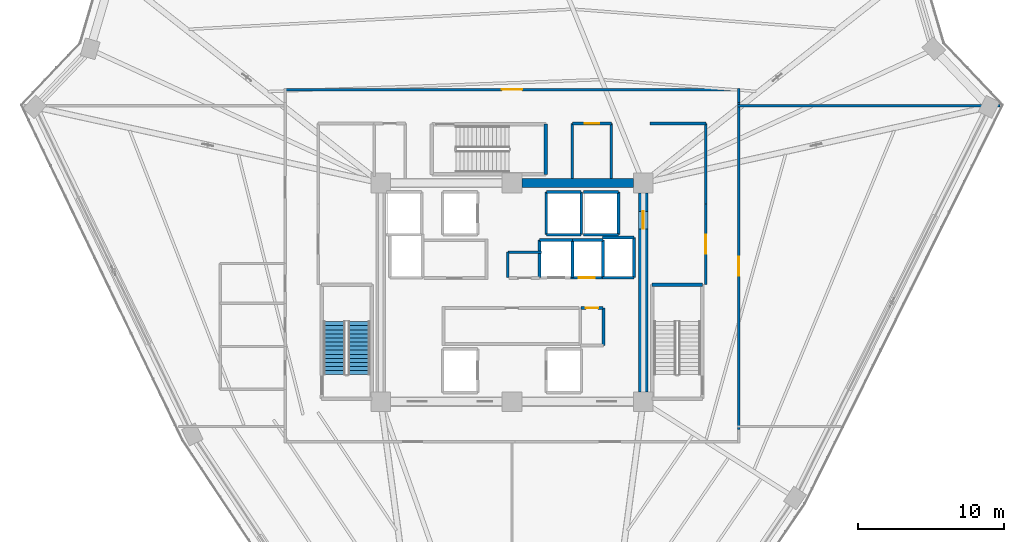
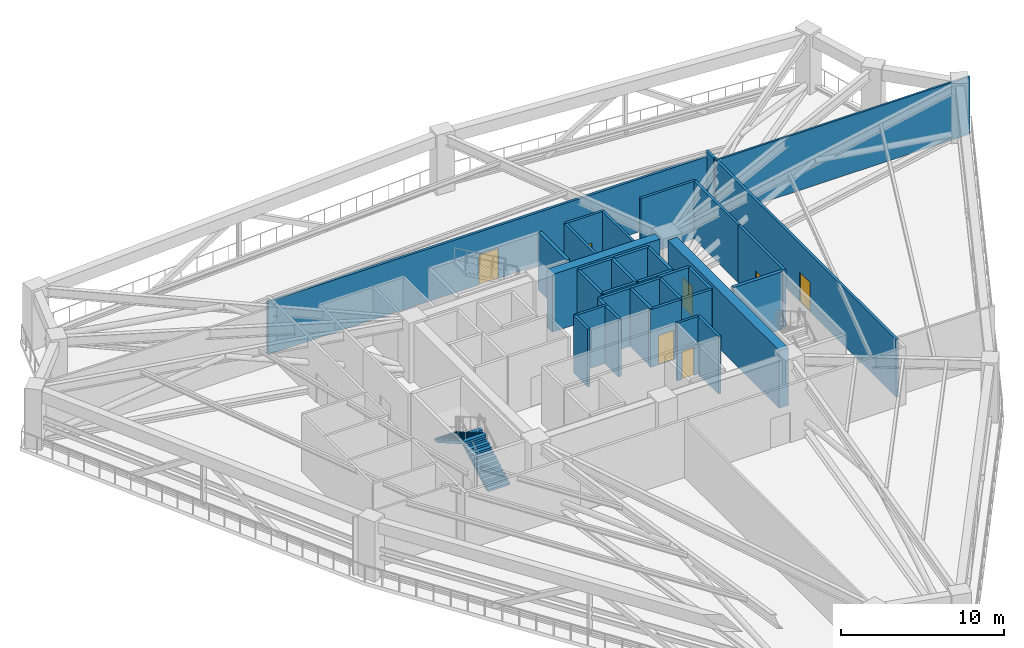
# One storey, part 16 of 25: 34 walls, 7 doors, 2 stair flights, 7 openings, 1 element without a shape of its own.
"""IFC4 building model written with IfcOpenShell, lengths in metres."""

from ifc_helpers import new_model, si_unit, direction, frame, frame_2d, origin, place, context, subcontext, project, spatial, polyline, rectangle, outline, extrude, source, transform, mapped, material, layer, layer_set, type_object, element, fill, aggregate, save


model = new_model("IFC4")

# Units and contexts
model_context = context("Model", 3, precision=1e-05, world=origin(), true_north=direction((0.0, 1.0)))
body_context = subcontext(model_context, "Body", "Model", "MODEL_VIEW")
ifc_project = project(units=[si_unit("LENGTHUNIT", "METRE"), si_unit("AREAUNIT", "SQUARE_METRE"), si_unit("VOLUMEUNIT", "CUBIC_METRE"), si_unit("PLANEANGLEUNIT", "RADIAN"), si_unit("MASSUNIT", "GRAM", prefix="KILO")], contexts=[model_context])

# Site, building, storey
site_placement = place(None, origin())
site = spatial("IfcSite", under=ifc_project, at=site_placement, CompositionType="ELEMENT")
building_placement = place(site_placement, origin())
building = spatial("IfcBuilding", under=site, at=building_placement, Name="Liaohun Quay Tower", CompositionType="ELEMENT")
storey_placement = place(building_placement, frame((0.0, 0.0, 231.75)))
storey = spatial("IfcBuildingStorey", under=building, at=storey_placement, Name="L60", CompositionType="ELEMENT", Elevation=231.75)

# Wall
ifc_material_1 = material(Name="Concrete C55", Category="concrete")
ifc_layer_1 = layer(ifc_material_1, 0.64990234375, Name="Concrete C55", Category="concrete")
ifc_layer_set_1 = layer_set([ifc_layer_1], Name="Concrete C55")
wall_type_1 = type_object("IfcWallType", Name="WAL-COR-Z3", PredefinedType="SHEAR", material=ifc_layer_set_1)
wall_1_placement = place(storey_placement, frame((60.675048828125, 61.5, 0.0), z_axis=(0.0, 0.0, 1.0), x_axis=(1.0, 0.0, 0.0)))
element("IfcWall", 1, at=wall_1_placement, inside=storey, type_object=wall_type_1, Name="L60 Central Core Shear Wall N-E", PredefinedType="SHEAR", context=body_context, shape_type="SweptSolid", body=[
    extrude(rectangle(XDim=7.64990234375, YDim=0.64990234375, at=frame_2d((3.824951171875, 0.0))), origin(), (0.0, 0.0, 1.0), 4.320068359375),
])

# Wall, opening, door
wall_2_placement = place(storey_placement, frame((69.0, 60.824951171875, 0.0), z_axis=(0.0, 0.0, 1.0), x_axis=(0.0, -1.0, 0.0)))
wall_2 = element("IfcWall", 2, at=wall_2_placement, inside=storey, type_object=wall_type_1, Name="L60 Central Core Shear Wall E", PredefinedType="SHEAR", context=body_context, shape_type="SweptSolid", body=[
    extrude(rectangle(XDim=13.64990234375, YDim=0.64990234375, at=frame_2d((6.824951171875, 0.0))), origin(), (0.0, 0.0, 1.0), 4.320068359375),
])
shared_shape_1 = source(origin(), body_context, "Body", "SweptSolid", [
    extrude(rectangle(XDim=1.199951171875, YDim=2.199951171875, at=frame_2d((0.60009765625, 1.10009765625))), frame((0.0, 0.3349609375, 0.0), z_axis=(0.0, -1.0, 0.0), x_axis=(1.0, 0.0, 0.0)), (0.0, 0.0, 1.0), 0.669921875),
])
opening_1_placement = place(wall_2_placement, frame((1.27490234375, 0.0, 0.0)))
opening_1 = element("IfcOpeningElement", 3, at=opening_1_placement, cuts=wall_2, Name="Opening SD1", PredefinedType="OPENING", context=body_context, shape_type="MappedRepresentation", body=[
    mapped(shared_shape_1, transform((0.0, 0.0, 0.0), x_axis=(1.0, 0.0, 0.0), y_axis=(0.0, 1.0, 0.0), z_axis=(0.0, 0.0, 1.0), scale=1.0)),
])
ifc_material_2 = material(Name="Galvanised steel fire door", Category="steel")
door_type_1 = type_object("IfcDoorType", Name="DOR-STR-1200", OperationType="NOTDEFINED", PredefinedType="DOOR", material=ifc_material_2)
shared_shape_2 = source(origin(), body_context, "Body", "SweptSolid", [
    extrude(rectangle(XDim=1.199951171875, YDim=2.199951171875, at=frame_2d((0.60009765625, 1.10009765625))), frame((0.0, 0.02490234375, 0.0), z_axis=(0.0, -1.0, 0.0), x_axis=(1.0, 0.0, 0.0)), (0.0, 0.0, 1.0), 0.050048828125),
])
door_1_placement = place(opening_1_placement, origin())
door_1 = element("IfcDoor", 4, at=door_1_placement, inside=storey, type_object=door_type_1, Name="L60 North-East Core Lobby Smokeproof Door", OperationType="SINGLE_SWING_LEFT", OverallHeight=2.199951171875, OverallWidth=1.199951171875, PredefinedType="DOOR", context=body_context, shape_type="MappedRepresentation", body=[
    mapped(shared_shape_2, transform((0.0, 0.0, 0.0), x_axis=(1.0, 0.0, 0.0), y_axis=(0.0, 1.0, 0.0), z_axis=(0.0, 0.0, 1.0), scale=1.0)),
])
fill(opening_1, door_1)

ifc_material_3 = material(Name="Autoclaved aerated concrete blockwork", Category="masonry")
ifc_layer_2 = layer(ifc_material_3, 0.179931640625, Name="Autoclaved aerated concrete blockwork", Category="masonry")
ifc_layer_set_2 = layer_set([ifc_layer_2], Name="Autoclaved aerated concrete blockwork")
wall_type_2 = type_object("IfcWallType", Name="WAL-PRT-COR", PredefinedType="PARTITIONING", material=ifc_layer_set_2)
wall_3_placement = place(storey_placement, frame((64.719970703125, 52.919921875, 0.0), z_axis=(0.0, 0.0, 1.0), x_axis=(1.0, 0.0, 0.0)))
wall_3 = element("IfcWall", 5, at=wall_3_placement, inside=storey, type_object=wall_type_2, Name="L60 Interior Partition Wall 004", PredefinedType="PARTITIONING", context=body_context, shape_type="SweptSolid", body=[
    extrude(rectangle(XDim=1.530029296875, YDim=0.179931640625, at=frame_2d((0.76513671875, 0.0))), origin(), (0.0, 0.0, 1.0), 4.320068359375),
])
shared_shape_3 = source(origin(), body_context, "Body", "SweptSolid", [
    extrude(rectangle(XDim=0.85009765625, YDim=2.10009765625, at=frame_2d((0.425048828125, 1.050048828125))), frame((0.0, 0.099853515625, 0.0), z_axis=(0.0, -1.0, 0.0), x_axis=(1.0, 0.0, 0.0)), (0.0, 0.0, 1.0), 0.199951171875),
])
opening_2_placement = place(wall_3_placement, frame((0.340087890625, 0.0, 0.0)))
opening_2 = element("IfcOpeningElement", 6, at=opening_2_placement, cuts=wall_3, Name="Opening AD1", PredefinedType="OPENING", context=body_context, shape_type="MappedRepresentation", body=[
    mapped(shared_shape_3, transform((0.0, 0.0, 0.0), x_axis=(1.0, 0.0, 0.0), y_axis=(0.0, 1.0, 0.0), z_axis=(0.0, 0.0, 1.0), scale=1.0)),
])
ifc_material_4 = material(Name="Steel riser inspection fire door", Category="steel")
door_type_2 = type_object("IfcDoorType", Name="DOR-SHF-850", OperationType="NOTDEFINED", PredefinedType="DOOR", material=ifc_material_4)
shared_shape_4 = source(origin(), body_context, "Body", "SweptSolid", [
    extrude(rectangle(XDim=0.85009765625, YDim=2.10009765625, at=frame_2d((0.425048828125, 1.050048828125))), frame((0.0, 0.02490234375, 0.0), z_axis=(0.0, -1.0, 0.0), x_axis=(1.0, 0.0, 0.0)), (0.0, 0.0, 1.0), 0.050048828125),
])
door_2_placement = place(opening_2_placement, origin())
door_2 = element("IfcDoor", 7, at=door_2_placement, inside=storey, type_object=door_type_2, Name="L60 BMS Data Riser Room Door", OperationType="SINGLE_SWING_RIGHT", OverallHeight=2.10009765625, OverallWidth=0.85009765625, PredefinedType="DOOR", context=body_context, shape_type="MappedRepresentation", body=[
    mapped(shared_shape_4, transform((0.0, 0.0, 0.0), x_axis=(1.0, 0.0, 0.0), y_axis=(0.0, 1.0, 0.0), z_axis=(0.0, 0.0, 1.0), scale=1.0)),
])
fill(opening_2, door_2)

wall_4_placement = place(storey_placement, frame((64.139892578125, 65.580078125, 0.0), z_axis=(0.0, 0.0, 1.0), x_axis=(1.0, 0.0, 0.0)))
wall_4 = element("IfcWall", 8, at=wall_4_placement, inside=storey, type_object=wall_type_2, Name="L60 Interior Partition Wall 009", PredefinedType="PARTITIONING", context=body_context, shape_type="SweptSolid", body=[
    extrude(rectangle(XDim=2.670166015625, YDim=0.179931640625, at=frame_2d((1.3349609375, 0.0))), origin(), (0.0, 0.0, 1.0), 4.320068359375),
])
shared_shape_5 = source(origin(), body_context, "Body", "SweptSolid", [
    extrude(rectangle(XDim=1.0, YDim=2.199951171875, at=frame_2d((0.5, 1.10009765625))), frame((0.0, 0.099853515625, 0.0), z_axis=(0.0, -1.0, 0.0), x_axis=(1.0, 0.0, 0.0)), (0.0, 0.0, 1.0), 0.199951171875),
])
opening_3_placement = place(wall_4_placement, frame((0.8349609375, 0.0, 0.0)))
opening_3 = element("IfcOpeningElement", 9, at=opening_3_placement, cuts=wall_4, Name="Opening OD1", PredefinedType="OPENING", context=body_context, shape_type="MappedRepresentation", body=[
    mapped(shared_shape_5, transform((0.0, 0.0, 0.0), x_axis=(1.0, 0.0, 0.0), y_axis=(0.0, 1.0, 0.0), z_axis=(0.0, 0.0, 1.0), scale=1.0)),
])
ifc_material_5 = material(Name="Solid-core oak veneer timber leaf in steel frame", Category="steel")
door_type_3 = type_object("IfcDoorType", Name="DOR-OFF-1000", OperationType="NOTDEFINED", PredefinedType="DOOR", material=ifc_material_5)
shared_shape_6 = source(origin(), body_context, "Body", "SweptSolid", [
    extrude(rectangle(XDim=1.0, YDim=2.199951171875, at=frame_2d((0.5, 1.10009765625))), frame((0.0, 0.02490234375, 0.0), z_axis=(0.0, -1.0, 0.0), x_axis=(1.0, 0.0, 0.0)), (0.0, 0.0, 1.0), 0.050048828125),
])
door_3_placement = place(opening_3_placement, origin())
door_3 = element("IfcDoor", 10, at=door_3_placement, inside=storey, type_object=door_type_3, Name="L60 North-East Server Closet Door", OperationType="SINGLE_SWING_LEFT", OverallHeight=2.199951171875, OverallWidth=1.0, PredefinedType="DOOR", context=body_context, shape_type="MappedRepresentation", body=[
    mapped(shared_shape_6, transform((0.0, 0.0, 0.0), x_axis=(1.0, 0.0, 0.0), y_axis=(0.0, 1.0, 0.0), z_axis=(0.0, 0.0, 1.0), scale=1.0)),
])
fill(opening_3, door_3)

wall_5_placement = place(storey_placement, frame((73.300048828125, 54.5400390625, 0.0), z_axis=(0.0, 0.0, 1.0), x_axis=(0.0, 1.0, 0.0)))
wall_5 = element("IfcWall", 11, at=wall_5_placement, inside=storey, type_object=wall_type_2, Name="L60 Interior Partition Wall 011", PredefinedType="PARTITIONING", context=body_context, shape_type="SweptSolid", body=[
    extrude(rectangle(XDim=5.52001953125, YDim=0.179931640625, at=frame_2d((2.760009765625, 0.0))), origin(), (0.0, 0.0, 1.0), 4.320068359375),
])
shared_shape_7 = source(origin(), body_context, "Body", "SweptSolid", [
    extrude(rectangle(XDim=1.300048828125, YDim=2.199951171875, at=frame_2d((0.64990234375, 1.10009765625))), frame((0.0, 0.099853515625, 0.0), z_axis=(0.0, -1.0, 0.0), x_axis=(1.0, 0.0, 0.0)), (0.0, 0.0, 1.0), 0.199951171875),
])
opening_4_placement = place(wall_5_placement, frame((2.110107421875, 0.0, 0.0)))
opening_4 = element("IfcOpeningElement", 12, at=opening_4_placement, cuts=wall_5, Name="Opening FD1", PredefinedType="OPENING", context=body_context, shape_type="MappedRepresentation", body=[
    mapped(shared_shape_7, transform((0.0, 0.0, 0.0), x_axis=(1.0, 0.0, 0.0), y_axis=(0.0, 1.0, 0.0), z_axis=(0.0, 0.0, 1.0), scale=1.0)),
])
ifc_material_6 = material(Name="Galvanised steel smokeproof fire door", Category="steel")
door_type_4 = type_object("IfcDoorType", Name="DOR-FFL-1300", OperationType="NOTDEFINED", PredefinedType="DOOR", material=ifc_material_6)
shared_shape_8 = source(origin(), body_context, "Body", "SweptSolid", [
    extrude(rectangle(XDim=1.300048828125, YDim=2.199951171875, at=frame_2d((0.64990234375, 1.10009765625))), frame((0.0, 0.02490234375, 0.0), z_axis=(0.0, -1.0, 0.0), x_axis=(1.0, 0.0, 0.0)), (0.0, 0.0, 1.0), 0.050048828125),
])
door_4_placement = place(opening_4_placement, origin())
door_4 = element("IfcDoor", 13, at=door_4_placement, inside=storey, type_object=door_type_4, Name="L60 East Core Vestibule Door", OperationType="SINGLE_SWING_LEFT", OverallHeight=2.199951171875, OverallWidth=1.300048828125, PredefinedType="DOOR", context=body_context, shape_type="MappedRepresentation", body=[
    mapped(shared_shape_8, transform((0.0, 0.0, 0.0), x_axis=(1.0, 0.0, 0.0), y_axis=(0.0, 1.0, 0.0), z_axis=(0.0, 0.0, 1.0), scale=1.0)),
])
fill(opening_4, door_4)

wall_6_placement = place(storey_placement, frame((75.56005859375, 67.014892578125, 0.0), z_axis=(0.0, 0.0, 1.0), x_axis=(0.0, -1.0, 0.0)))
wall_6 = element("IfcWall", 14, at=wall_6_placement, inside=storey, type_object=wall_type_2, Name="L60 Interior Partition Wall 012", PredefinedType="PARTITIONING", context=body_context, shape_type="SweptSolid", body=[
    extrude(rectangle(XDim=22.429931640625, YDim=0.179931640625, at=frame_2d((11.21484375, 0.0))), origin(), (0.0, 0.0, 1.0), 4.320068359375),
])
opening_5_placement = place(wall_6_placement, frame((10.56494140625, 0.0, 0.0)))
opening_5 = element("IfcOpeningElement", 15, at=opening_5_placement, cuts=wall_6, Name="Opening FD1", PredefinedType="OPENING", context=body_context, shape_type="MappedRepresentation", body=[
    mapped(shared_shape_7, transform((0.0, 0.0, 0.0), x_axis=(1.0, 0.0, 0.0), y_axis=(0.0, 1.0, 0.0), z_axis=(0.0, 0.0, 1.0), scale=1.0)),
])
door_5_placement = place(opening_5_placement, origin())
door_5 = element("IfcDoor", 16, at=door_5_placement, inside=storey, type_object=door_type_4, Name="L60 South Pressurised Fire Refuge Area Door", OperationType="SINGLE_SWING_RIGHT", OverallHeight=2.199951171875, OverallWidth=1.300048828125, PredefinedType="DOOR", context=body_context, shape_type="MappedRepresentation", body=[
    mapped(shared_shape_8, transform((0.0, 0.0, 0.0), x_axis=(1.0, 0.0, 0.0), y_axis=(0.0, 1.0, 0.0), z_axis=(0.0, 0.0, 1.0), scale=1.0)),
])
fill(opening_5, door_5)

wall_7_placement = place(storey_placement, frame((44.3701171875, 67.909912109375, 0.0), z_axis=(0.0, 0.0, 1.0), x_axis=(1.0, 0.0, 0.0)))
wall_7 = element("IfcWall", 17, at=wall_7_placement, inside=storey, type_object=wall_type_2, Name="L60 Interior Partition Wall 013", PredefinedType="PARTITIONING", context=body_context, shape_type="SweptSolid", body=[
    extrude(rectangle(XDim=31.259765625, YDim=0.179931640625, at=frame_2d((15.6298828125, 0.0))), origin(), (0.0, 0.0, 1.0), 3.955078125),
])
shared_shape_9 = source(origin(), body_context, "Body", "SweptSolid", [
    extrude(rectangle(XDim=1.39990234375, YDim=2.25, at=frame_2d((0.699951171875, 1.125))), frame((0.0, 0.099853515625, 0.0), z_axis=(0.0, -1.0, 0.0), x_axis=(1.0, 0.0, 0.0)), (0.0, 0.0, 1.0), 0.199951171875),
])
opening_6_placement = place(wall_7_placement, frame((14.929931640625, 0.0, 0.0)))
opening_6 = element("IfcOpeningElement", 18, at=opening_6_placement, cuts=wall_7, Name="Opening MD1", PredefinedType="OPENING", context=body_context, shape_type="MappedRepresentation", body=[
    mapped(shared_shape_9, transform((0.0, 0.0, 0.0), x_axis=(1.0, 0.0, 0.0), y_axis=(0.0, 1.0, 0.0), z_axis=(0.0, 0.0, 1.0), scale=1.0)),
])
ifc_material_7 = material(Name="Insulated steel plant room door", Category="steel")
door_type_5 = type_object("IfcDoorType", Name="DOR-MEP-1400", OperationType="DOUBLE_DOOR_SINGLE_SWING", PredefinedType="DOOR", material=ifc_material_7)
shared_shape_10 = source(origin(), body_context, "Body", "SweptSolid", [
    extrude(rectangle(XDim=1.39990234375, YDim=2.25, at=frame_2d((0.699951171875, 1.125))), frame((0.0, 0.02490234375, 0.0), z_axis=(0.0, -1.0, 0.0), x_axis=(1.0, 0.0, 0.0)), (0.0, 0.0, 1.0), 0.050048828125),
])
door_6_placement = place(opening_6_placement, origin())
door_6 = element("IfcDoor", 19, at=door_6_placement, inside=storey, type_object=door_type_5, Name="L60 Southwest Zone Electrical Switch Plant Room Door", OperationType="DOUBLE_DOOR_SINGLE_SWING", OverallHeight=2.25, OverallWidth=1.39990234375, PredefinedType="DOOR", context=body_context, shape_type="MappedRepresentation", body=[
    mapped(shared_shape_10, transform((0.0, 0.0, 0.0), x_axis=(1.0, 0.0, 0.0), y_axis=(0.0, 1.0, 0.0), z_axis=(0.0, 0.0, 1.0), scale=1.0)),
])
fill(opening_6, door_6)

# Walls
wall_8_placement = place(storey_placement, frame((59.719970703125, 55.02001953125, 0.0), z_axis=(0.0, 0.0, 1.0), x_axis=(0.0, 1.0, 0.0)))
element("IfcWall", 20, at=wall_8_placement, inside=storey, type_object=wall_type_2, Name="L60 Interior Partition Wall 017", PredefinedType="PARTITIONING", context=body_context, shape_type="SweptSolid", body=[
    extrude(rectangle(XDim=1.72998046875, YDim=0.179931640625, at=frame_2d((0.864990234375, 0.0))), origin(), (0.0, 0.0, 1.0), 4.320068359375),
])
wall_9_placement = place(storey_placement, frame((59.719970703125, 56.75, 0.0), z_axis=(0.0, 0.0, 1.0), x_axis=(1.0, 0.0, 0.0)))
element("IfcWall", 21, at=wall_9_placement, inside=storey, type_object=wall_type_2, Name="L60 Interior Partition Wall 018", PredefinedType="PARTITIONING", context=body_context, shape_type="SweptSolid", body=[
    extrude(rectangle(XDim=2.2900390625, YDim=0.179931640625, at=frame_2d((1.14501953125, 0.0))), origin(), (0.0, 0.0, 1.0), 4.320068359375),
])
wall_10_placement = place(storey_placement, frame((66.280029296875, 50.35009765625, 0.0), z_axis=(0.0, 0.0, 1.0), x_axis=(0.0, 1.0, 0.0)))
element("IfcWall", 22, at=wall_10_placement, inside=storey, type_object=wall_type_2, Name="L60 Interior Partition Wall 021", PredefinedType="PARTITIONING", context=body_context, shape_type="SweptSolid", body=[
    extrude(rectangle(XDim=2.56982421875, YDim=0.179931640625, at=frame_2d((1.284912109375, 0.0))), origin(), (0.0, 0.0, 1.0), 4.320068359375),
])
for number, where, z_axis, x_axis, name in (
    (23, (64.139892578125, 61.824951171875, 0.0), (0.0, 0.0, 1.0), (0.0, 1.0, 0.0), "L60 Interior Partition Wall 029"),
    (24, (66.81005859375, 61.824951171875, 0.0), (0.0, 0.0, 1.0), (0.0, 1.0, 0.0), "L60 Interior Partition Wall 030"),
):
    element("IfcWall", number, at=place(storey_placement, frame(where, z_axis=z_axis, x_axis=x_axis)), inside=storey, type_object=wall_type_2, Name=name, PredefinedType="PARTITIONING", context=body_context, shape_type="SweptSolid", body=[
        extrude(rectangle(XDim=3.755126953125, YDim=0.179931640625, at=frame_2d((1.87744140625, 0.0))), origin(), (0.0, 0.0, 1.0), 4.320068359375),
    ])
wall_11_placement = place(storey_placement, frame((69.4599609375, 65.580078125, 0.0), z_axis=(0.0, 0.0, 1.0), x_axis=(1.0, 0.0, 0.0)))
element("IfcWall", 25, at=wall_11_placement, inside=storey, type_object=wall_type_2, Name="L60 Interior Partition Wall 032", PredefinedType="PARTITIONING", context=body_context, shape_type="SweptSolid", body=[
    extrude(rectangle(XDim=3.840087890625, YDim=0.179931640625, at=frame_2d((1.919921875, 0.0))), origin(), (0.0, 0.0, 1.0), 4.320068359375),
])
wall_12_placement = place(storey_placement, frame((73.300048828125, 60.06005859375, 0.0), z_axis=(0.0, 0.0, 1.0), x_axis=(0.0, 1.0, 0.0)))
element("IfcWall", 26, at=wall_12_placement, inside=storey, type_object=wall_type_2, Name="L60 Interior Partition Wall 034", PredefinedType="PARTITIONING", context=body_context, shape_type="SweptSolid", body=[
    extrude(rectangle(XDim=5.52001953125, YDim=0.179931640625, at=frame_2d((2.760009765625, 0.0))), origin(), (0.0, 0.0, 1.0), 4.320068359375),
])
wall_13_placement = place(storey_placement, frame((75.56005859375, 67.97998046875, 0.0), z_axis=(0.0, 0.0, 1.0), x_axis=(0.0, -1.0, 0.0)))
element("IfcWall", 27, at=wall_13_placement, inside=storey, type_object=wall_type_2, Name="L60 Interior Partition Wall 036", PredefinedType="PARTITIONING", context=body_context, shape_type="SweptSolid", body=[
    extrude(rectangle(XDim=0.965087890625, YDim=0.179931640625, at=frame_2d((0.482421875, 0.0))), origin(), (0.0, 0.0, 1.0), 4.320068359375),
])
ifc_material_8 = material(Name="Gypsum board on twin steel studs", Category="steel")
ifc_layer_3 = layer(ifc_material_8, 0.139892578125, Name="Gypsum board on twin steel studs", Category="steel")
ifc_layer_set_3 = layer_set([ifc_layer_3], Name="Gypsum board on twin steel studs")
wall_type_3 = type_object("IfcWallType", Name="WAL-PRT-OFF", PredefinedType="PARTITIONING", material=ifc_layer_set_3)
wall_14_placement = place(storey_placement, frame((75.4599609375, 66.800048828125, 0.0), z_axis=(0.0, 0.0, 1.0), x_axis=(1.0, 0.0, 0.0)))
element("IfcWall", 28, at=wall_14_placement, inside=storey, type_object=wall_type_3, Name="L60 Interior Partition Wall 043", PredefinedType="PARTITIONING", context=body_context, shape_type="SweptSolid", body=[
    extrude(rectangle(XDim=18.010986328125, YDim=0.139892578125, at=frame_2d((9.00537109375, 0.0))), origin(), (0.0, 0.0, 1.0), 4.320068359375),
])
ifc_material_9 = material(Name="Concrete C50", Category="concrete")
ifc_layer_4 = layer(ifc_material_9, 0.239990234375, Name="Concrete C50", Category="concrete")
ifc_layer_set_4 = layer_set([ifc_layer_4], Name="Concrete C50")
wall_type_4 = type_object("IfcWallType", Name="WAL-SHF-200", PredefinedType="SOLIDWALL", material=ifc_layer_set_4)
for number, where, z_axis, x_axis, name in (
    (29, (73.06005859375, 54.52001953125, 0.0), (0.0, 0.0, 1.0), (-1.0, 0.0, 0.0), "L60 Stairwell ST-2 Structural Core Wall N"),
    (30, (62.320068359375, 62.10009765625, 0.0), (0.0, 0.0, 1.0), (0.0, 1.0, 0.0), "L60 Stairwell ST-3 Structural Core Wall E"),
):
    element("IfcWall", number, at=place(storey_placement, frame(where, z_axis=z_axis, x_axis=x_axis)), inside=storey, type_object=wall_type_4, Name=name, PredefinedType="SOLIDWALL", context=body_context, shape_type="SweptSolid", body=[
        extrude(rectangle(XDim=3.43994140625, YDim=0.239990234375, at=frame_2d((1.719970703125, 0.0))), origin(), (0.0, 0.0, 1.0), 4.320068359375),
    ])
wall_15_placement = place(storey_placement, frame((62.35009765625, 57.949951171875, 0.0), z_axis=(0.0, 0.0, 1.0), x_axis=(1.0, 0.0, 0.0)))
element("IfcWall", 31, at=wall_15_placement, inside=storey, type_object=wall_type_4, Name="L60 Lift OB-01 Hoistway Wall S", PredefinedType="SOLIDWALL", context=body_context, shape_type="SweptSolid", body=[
    extrude(rectangle(XDim=2.39990234375, YDim=0.199951171875, at=frame_2d((1.199951171875, 0.0))), origin(), (0.0, 0.0, 1.0), 4.320068359375),
])
wall_16_placement = place(storey_placement, frame((64.75, 57.949951171875, 0.0), z_axis=(0.0, 0.0, 1.0), x_axis=(0.0, 1.0, 0.0)))
element("IfcWall", 32, at=wall_16_placement, inside=storey, type_object=wall_type_4, Name="L60 Lift OB-01 Hoistway Wall E", PredefinedType="SOLIDWALL", context=body_context, shape_type="SweptSolid", body=[
    extrude(rectangle(XDim=2.929931640625, YDim=0.199951171875, at=frame_2d((1.46484375, 0.0))), origin(), (0.0, 0.0, 1.0), 4.320068359375),
])
wall_17_placement = place(storey_placement, frame((64.75, 60.8798828125, 0.0), z_axis=(0.0, 0.0, 1.0), x_axis=(-1.0, 0.0, 0.0)))
element("IfcWall", 33, at=wall_17_placement, inside=storey, type_object=wall_type_4, Name="L60 Lift OB-01 Hoistway Wall N", PredefinedType="SOLIDWALL", context=body_context, shape_type="SweptSolid", body=[
    extrude(rectangle(XDim=2.39990234375, YDim=0.199951171875, at=frame_2d((1.199951171875, 0.0))), origin(), (0.0, 0.0, 1.0), 4.320068359375),
])
wall_18_placement = place(storey_placement, frame((62.35009765625, 60.8798828125, 0.0), z_axis=(0.0, 0.0, 1.0), x_axis=(0.0, -1.0, 0.0)))
element("IfcWall", 34, at=wall_18_placement, inside=storey, type_object=wall_type_4, Name="L60 Lift OB-01 Hoistway Wall W", PredefinedType="SOLIDWALL", context=body_context, shape_type="SweptSolid", body=[
    extrude(rectangle(XDim=2.929931640625, YDim=0.199951171875, at=frame_2d((1.46484375, 0.0))), origin(), (0.0, 0.0, 1.0), 4.320068359375),
])
wall_19_placement = place(storey_placement, frame((64.89990234375, 57.949951171875, 0.0), z_axis=(0.0, 0.0, 1.0), x_axis=(1.0, 0.0, 0.0)))
element("IfcWall", 35, at=wall_19_placement, inside=storey, type_object=wall_type_4, Name="L60 Lift OB-02 Hoistway Wall S", PredefinedType="SOLIDWALL", context=body_context, shape_type="SweptSolid", body=[
    extrude(rectangle(XDim=2.400146484375, YDim=0.199951171875, at=frame_2d((1.2001953125, 0.0))), origin(), (0.0, 0.0, 1.0), 4.320068359375),
])
wall_20_placement = place(storey_placement, frame((67.300048828125, 57.949951171875, 0.0), z_axis=(0.0, 0.0, 1.0), x_axis=(0.0, 1.0, 0.0)))
element("IfcWall", 36, at=wall_20_placement, inside=storey, type_object=wall_type_4, Name="L60 Lift OB-02 Hoistway Wall E", PredefinedType="SOLIDWALL", context=body_context, shape_type="SweptSolid", body=[
    extrude(rectangle(XDim=2.929931640625, YDim=0.199951171875, at=frame_2d((1.46484375, 0.0))), origin(), (0.0, 0.0, 1.0), 4.320068359375),
])
wall_21_placement = place(storey_placement, frame((67.300048828125, 60.8798828125, 0.0), z_axis=(0.0, 0.0, 1.0), x_axis=(-1.0, 0.0, 0.0)))
element("IfcWall", 37, at=wall_21_placement, inside=storey, type_object=wall_type_4, Name="L60 Lift OB-02 Hoistway Wall N", PredefinedType="SOLIDWALL", context=body_context, shape_type="SweptSolid", body=[
    extrude(rectangle(XDim=2.400146484375, YDim=0.199951171875, at=frame_2d((1.2001953125, 0.0))), origin(), (0.0, 0.0, 1.0), 4.320068359375),
])
wall_22_placement = place(storey_placement, frame((66.199951171875, 55.0, 0.0), z_axis=(0.0, 0.0, 1.0), x_axis=(1.0, 0.0, 0.0)))
element("IfcWall", 38, at=wall_22_placement, inside=storey, type_object=wall_type_4, Name="L60 Lift SH-03 Hoistway Wall S", PredefinedType="SOLIDWALL", context=body_context, shape_type="SweptSolid", body=[
    extrude(rectangle(XDim=2.179931640625, YDim=0.199951171875, at=frame_2d((1.08984375, 0.0))), origin(), (0.0, 0.0, 1.0), 4.320068359375),
])
wall_23_placement = place(storey_placement, frame((68.3798828125, 55.0, 0.0), z_axis=(0.0, 0.0, 1.0), x_axis=(0.0, 1.0, 0.0)))
element("IfcWall", 39, at=wall_23_placement, inside=storey, type_object=wall_type_4, Name="L60 Lift SH-03 Hoistway Wall E", PredefinedType="SOLIDWALL", context=body_context, shape_type="SweptSolid", body=[
    extrude(rectangle(XDim=2.75, YDim=0.199951171875, at=frame_2d((1.375, 0.0))), origin(), (0.0, 0.0, 1.0), 4.320068359375),
])
wall_24_placement = place(storey_placement, frame((68.3798828125, 57.75, 0.0), z_axis=(0.0, 0.0, 1.0), x_axis=(-1.0, 0.0, 0.0)))
element("IfcWall", 40, at=wall_24_placement, inside=storey, type_object=wall_type_4, Name="L60 Lift SH-03 Hoistway Wall N", PredefinedType="SOLIDWALL", context=body_context, shape_type="SweptSolid", body=[
    extrude(rectangle(XDim=2.179931640625, YDim=0.199951171875, at=frame_2d((1.08984375, 0.0))), origin(), (0.0, 0.0, 1.0), 4.320068359375),
])
wall_25_placement = place(storey_placement, frame((64.14990234375, 55.0, 0.0), z_axis=(0.0, 0.0, 1.0), x_axis=(0.0, 1.0, 0.0)))
element("IfcWall", 41, at=wall_25_placement, inside=storey, type_object=wall_type_4, Name="L60 Lift PL-3A Hoistway Wall E", PredefinedType="SOLIDWALL", context=body_context, shape_type="SweptSolid", body=[
    extrude(rectangle(XDim=2.60009765625, YDim=0.199951171875, at=frame_2d((1.300048828125, 0.0))), origin(), (0.0, 0.0, 1.0), 4.320068359375),
])
wall_26_placement = place(storey_placement, frame((64.14990234375, 57.60009765625, 0.0), z_axis=(0.0, 0.0, 1.0), x_axis=(-1.0, 0.0, 0.0)))
element("IfcWall", 42, at=wall_26_placement, inside=storey, type_object=wall_type_4, Name="L60 Lift PL-3A Hoistway Wall N", PredefinedType="SOLIDWALL", context=body_context, shape_type="SweptSolid", body=[
    extrude(rectangle(XDim=2.25, YDim=0.199951171875, at=frame_2d((1.125, 0.0))), origin(), (0.0, 0.0, 1.0), 4.320068359375),
])
wall_27_placement = place(storey_placement, frame((61.89990234375, 57.60009765625, 0.0), z_axis=(0.0, 0.0, 1.0), x_axis=(0.0, -1.0, 0.0)))
element("IfcWall", 43, at=wall_27_placement, inside=storey, type_object=wall_type_4, Name="L60 Lift PL-3A Hoistway Wall W", PredefinedType="SOLIDWALL", context=body_context, shape_type="SweptSolid", body=[
    extrude(rectangle(XDim=2.60009765625, YDim=0.199951171875, at=frame_2d((1.300048828125, 0.0))), origin(), (0.0, 0.0, 1.0), 4.320068359375),
])

# Wall, opening, door
wall_28_placement = place(storey_placement, frame((64.0, 55.0, 0.0), z_axis=(0.0, 0.0, 1.0), x_axis=(1.0, 0.0, 0.0)))
wall_28 = element("IfcWall", 44, at=wall_28_placement, inside=storey, type_object=wall_type_4, Name="L60 Lift PL-3B Hoistway Wall S", PredefinedType="SOLIDWALL", context=body_context, shape_type="SweptSolid", body=[
    extrude(rectangle(XDim=2.25, YDim=0.199951171875, at=frame_2d((1.125, 0.0))), origin(), (0.0, 0.0, 1.0), 4.320068359375),
])
shared_shape_11 = source(origin(), body_context, "Body", "SweptSolid", [
    extrude(rectangle(XDim=1.10009765625, YDim=2.199951171875, at=frame_2d((0.550048828125, 1.10009765625))), frame((0.0, 0.10986328125, 0.0), z_axis=(0.0, -1.0, 0.0), x_axis=(1.0, 0.0, 0.0)), (0.0, 0.0, 1.0), 0.219970703125),
])
opening_7_placement = place(wall_28_placement, frame((0.574951171875, 0.0, 0.0)))
opening_7 = element("IfcOpeningElement", 45, at=opening_7_placement, cuts=wall_28, Name="Opening LD1", PredefinedType="OPENING", context=body_context, shape_type="MappedRepresentation", body=[
    mapped(shared_shape_11, transform((0.0, 0.0, 0.0), x_axis=(1.0, 0.0, 0.0), y_axis=(0.0, 1.0, 0.0), z_axis=(0.0, 0.0, 1.0), scale=1.0)),
])
ifc_material_10 = material(Name="Brushed stainless steel landing door", Category="steel")
door_type_6 = type_object("IfcDoorType", Name="DOR-LFT-1100", OperationType="SLIDING_TO_LEFT", PredefinedType="DOOR", material=ifc_material_10)
shared_shape_12 = source(origin(), body_context, "Body", "SweptSolid", [
    extrude(rectangle(XDim=1.10009765625, YDim=2.199951171875, at=frame_2d((0.550048828125, 1.10009765625))), frame((0.0, 0.02490234375, 0.0), z_axis=(0.0, -1.0, 0.0), x_axis=(1.0, 0.0, 0.0)), (0.0, 0.0, 1.0), 0.050048828125),
])
door_7_placement = place(opening_7_placement, origin())
door_7 = element("IfcDoor", 46, at=door_7_placement, inside=storey, type_object=door_type_6, Name="L60 Lift PL-3B Sliding Landing Door", OperationType="SLIDING_TO_LEFT", OverallHeight=2.199951171875, OverallWidth=1.10009765625, PredefinedType="DOOR", context=body_context, shape_type="MappedRepresentation", body=[
    mapped(shared_shape_12, transform((0.0, 0.0, 0.0), x_axis=(1.0, 0.0, 0.0), y_axis=(0.0, 1.0, 0.0), z_axis=(0.0, 0.0, 1.0), scale=1.0)),
])
fill(opening_7, door_7)

# Walls
wall_29_placement = place(storey_placement, frame((66.25, 55.0, 0.0), z_axis=(0.0, 0.0, 1.0), x_axis=(0.0, 1.0, 0.0)))
element("IfcWall", 47, at=wall_29_placement, inside=storey, type_object=wall_type_4, Name="L60 Lift PL-3B Hoistway Wall E", PredefinedType="SOLIDWALL", context=body_context, shape_type="SweptSolid", body=[
    extrude(rectangle(XDim=2.60009765625, YDim=0.199951171875, at=frame_2d((1.300048828125, 0.0))), origin(), (0.0, 0.0, 1.0), 4.320068359375),
])
wall_30_placement = place(storey_placement, frame((66.25, 57.60009765625, 0.0), z_axis=(0.0, 0.0, 1.0), x_axis=(-1.0, 0.0, 0.0)))
element("IfcWall", 48, at=wall_30_placement, inside=storey, type_object=wall_type_4, Name="L60 Lift PL-3B Hoistway Wall N", PredefinedType="SOLIDWALL", context=body_context, shape_type="SweptSolid", body=[
    extrude(rectangle(XDim=2.25, YDim=0.199951171875, at=frame_2d((1.125, 0.0))), origin(), (0.0, 0.0, 1.0), 4.320068359375),
])

# Stair, stair flights
ifc_material_11 = material(Name="Concrete C45", Category="concrete")
stair_type = type_object("IfcStairType", Name="STR-CORE-TALL", PredefinedType="HALF_TURN_STAIR", material=ifc_material_11)
stair_placement = place(storey_placement, origin())
stair = element("IfcStair", 49, at=stair_placement, inside=storey, type_object=stair_type, Name="L60 Smokeproof Core Exit Stair ST-1", PredefinedType="HALF_TURN_STAIR")
stair_flight_type = type_object("IfcStairFlightType", Name="FLT-CORE-155", PredefinedType="STRAIGHT", material=ifc_material_11)
stair_flight_1_placement = place(storey_placement, frame((49.5048828125, 48.35009765625, 0.0), z_axis=(0.0, 0.0, 1.0), x_axis=(0.0, 1.0, 0.0)))
stair_flight_1 = element("IfcStairFlight", 50, at=stair_flight_1_placement, type_object=stair_flight_type, Name="ST-1 flight 1", NumberOfRisers=14, NumberOfTreads=13, PredefinedType="STRAIGHT", RiserHeight=0.160714286, TreadLength=0.28, context=body_context, shape_type="SweptSolid", body=[
    extrude(outline(polyline([(0.0, 0.0), (0.0, 0.16064453125), (0.280029296875, 0.16064453125), (0.280029296875, 0.321533203125), (0.56005859375, 0.321533203125), (0.56005859375, 0.482177734375), (0.840087890625, 0.482177734375), (0.840087890625, 0.642822265625), (1.1201171875, 0.642822265625), (1.1201171875, 0.803466796875), (1.39990234375, 0.803466796875), (1.39990234375, 0.96435546875), (1.679931640625, 0.96435546875), (1.679931640625, 1.125), (1.9599609375, 1.125), (1.9599609375, 1.28564453125), (2.239990234375, 1.28564453125), (2.239990234375, 1.446533203125), (2.52001953125, 1.446533203125), (2.52001953125, 1.607177734375), (2.800048828125, 1.607177734375), (2.800048828125, 1.767822265625), (3.080078125, 1.767822265625), (3.080078125, 1.928466796875), (3.360107421875, 1.928466796875), (3.360107421875, 2.08935546875), (3.639892578125, 2.08935546875), (3.639892578125, 2.25), (3.639892578125, 1.91650390625), (0.301025390625, 0.0), (0.0, 0.0)])), frame((0.0, 0.77490234375, 0.0), z_axis=(0.0, -1.0, 0.0), x_axis=(1.0, 0.0, 0.0)), (0.0, 0.0, 1.0), 1.550048828125),
])
stair_flight_2_placement = place(storey_placement, frame((47.81494140625, 51.989990234375, 2.25), z_axis=(0.0, 0.0, 1.0), x_axis=(0.0, -1.0, 0.0)))
stair_flight_2 = element("IfcStairFlight", 51, at=stair_flight_2_placement, type_object=stair_flight_type, Name="ST-1 flight 2", NumberOfRisers=14, NumberOfTreads=13, PredefinedType="STRAIGHT", RiserHeight=0.160714286, TreadLength=0.28, context=body_context, shape_type="SweptSolid", body=[
    extrude(outline(polyline([(0.0, 0.0), (0.0, 0.16064453125), (0.280029296875, 0.16064453125), (0.280029296875, 0.321533203125), (0.56005859375, 0.321533203125), (0.56005859375, 0.482177734375), (0.840087890625, 0.482177734375), (0.840087890625, 0.642822265625), (1.1201171875, 0.642822265625), (1.1201171875, 0.803466796875), (1.39990234375, 0.803466796875), (1.39990234375, 0.96435546875), (1.679931640625, 0.96435546875), (1.679931640625, 1.125), (1.9599609375, 1.125), (1.9599609375, 1.28564453125), (2.239990234375, 1.28564453125), (2.239990234375, 1.446533203125), (2.52001953125, 1.446533203125), (2.52001953125, 1.607177734375), (2.800048828125, 1.607177734375), (2.800048828125, 1.767822265625), (3.080078125, 1.767822265625), (3.080078125, 1.928466796875), (3.360107421875, 1.928466796875), (3.360107421875, 2.08935546875), (3.639892578125, 2.08935546875), (3.639892578125, 2.25), (3.639892578125, 1.91650390625), (0.301025390625, 0.0), (0.0, 0.0)])), frame((0.0, 0.77490234375, 0.0), z_axis=(0.0, -1.0, 0.0), x_axis=(1.0, 0.0, 0.0)), (0.0, 0.0, 1.0), 1.550048828125),
])
aggregate(stair, [stair_flight_1, stair_flight_2])

save(model, "model.ifc")
